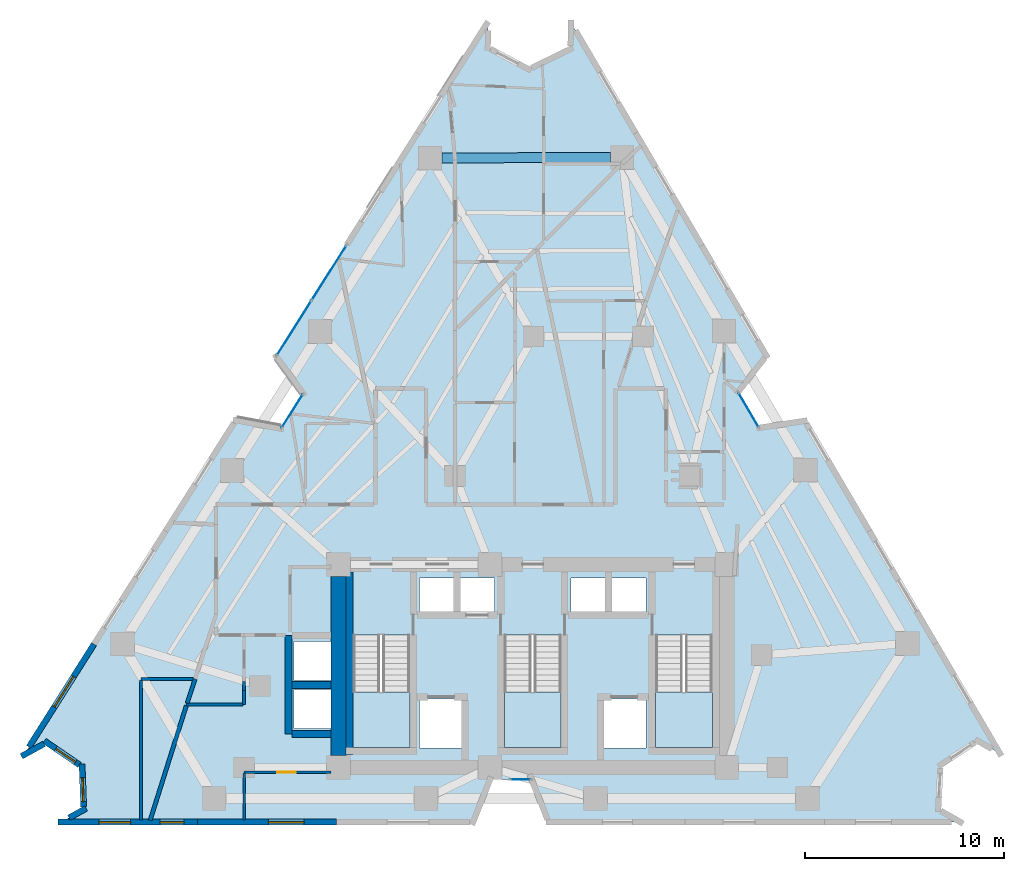
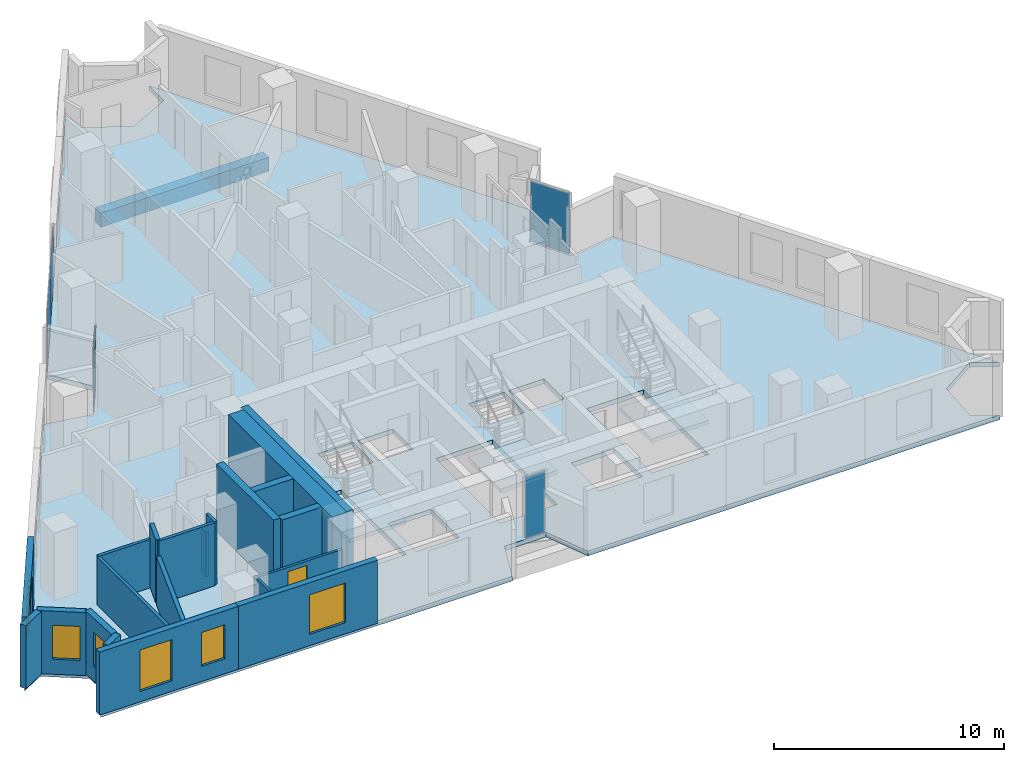
# One storey, part 5 of 12: 21 walls, 6 windows, 5 plates, 4 slabs, 1 beam, 1 door, 7 openings, 7 elements without a shape of their own.
"""IFC4 building model written with IfcOpenShell, lengths in metres."""

from ifc_helpers import new_model, si_unit, direction, frame, frame_2d, origin, origin_2d, place, context, subcontext, project, spatial, polyline, rectangle, outline, extrude, material, layer, layer_set, material_profile, profile_set, type_object, element, fill, aggregate, save


model = new_model("IFC4")

# Units and contexts
model_context = context("Model", 3, precision=1e-05, world=origin(), true_north=direction((0.0, 1.0)))
body_context = subcontext(model_context, "Body", "Model", "MODEL_VIEW")
ifc_project = project(units=[si_unit("LENGTHUNIT", "METRE"), si_unit("AREAUNIT", "SQUARE_METRE"), si_unit("VOLUMEUNIT", "CUBIC_METRE"), si_unit("PLANEANGLEUNIT", "RADIAN"), si_unit("MASSUNIT", "GRAM", prefix="KILO")], contexts=[model_context])

# Site, building, storey
site_placement = place(None, origin())
site = spatial("IfcSite", under=ifc_project, at=site_placement, CompositionType="ELEMENT")
building_placement = place(site_placement, origin())
building = spatial("IfcBuilding", under=site, at=building_placement, Name="Almagre Mirador Tower", CompositionType="ELEMENT")
storey_placement = place(building_placement, frame((0.0, 0.0, 117.60009765625)))
storey = spatial("IfcBuildingStorey", under=building, at=storey_placement, Name="L29", CompositionType="ELEMENT", Elevation=117.60009765625)

# Beam
ifc_material_1 = material(Name="Precast concrete C50/60", Category="concrete")
ifc_material_profile = material_profile(ifc_material_1, rectangle(XDim=0.5, YDim=0.75, at=origin_2d()), Name="RC500X750")
ifc_profile_set = profile_set([ifc_material_profile], Name="Precast concrete C50/60")
beam_type = type_object("IfcBeamType", Name="BM-SPN-RC500X750", PredefinedType="SPANDREL", material=ifc_profile_set)
beam_placement = place(storey_placement, frame((41.197021484375, 35.197998046875, -0.625), z_axis=(-0.999993795162, -0.003522731665, 0.0), x_axis=(0.003522731665, -0.999993795162, 0.0)))
element("IfcBeam", 1, at=beam_placement, inside=storey, type_object=beam_type, Name="L29 perimeter spandrel beam PC08-PC09", PredefinedType="SPANDREL", context=body_context, shape_type="SweptSolid", body=[
    extrude(rectangle(XDim=0.5, YDim=0.75, at=origin_2d()), origin(), (0.0, 0.0, 1.0), 8.455078125),
])

# Curtain wall, plate
ifc_material_2 = material(Name="Black anodized aluminium", Category="aluminium")
ifc_layer_1 = layer(ifc_material_2, 0.169921875)
ifc_layer_set_1 = layer_set([ifc_layer_1], Name="Black anodized aluminium")
curtain_wall_type_1 = type_object("IfcCurtainWallType", Name="CW-CRS-SYS", PredefinedType="NOTDEFINED", material=ifc_layer_set_1)
curtain_wall_1_placement = place(storey_placement, origin())
curtain_wall_1 = element("IfcCurtainWall", 2, at=curtain_wall_1_placement, inside=storey, type_object=curtain_wall_type_1, Name="L29 vertical crease curtain wall 01", PredefinedType="NOTDEFINED")
ifc_material_3 = material(Name="Dark solar-control laminated hurricane glass", Category="glass")
ifc_layer_2 = layer(ifc_material_3, 0.028076171875)
ifc_layer_set_2 = layer_set([ifc_layer_2], Name="Dark solar-control laminated hurricane glass")
plate_type_1 = type_object("IfcPlateType", Name="PLT-GLZ-28", PredefinedType="CURTAIN_PANEL", material=ifc_layer_set_2)
plate_1_placement = place(storey_placement, frame((25.217041015625, 22.449951171875, 0.059814453125), z_axis=(0.0, 0.0, 1.0), x_axis=(0.534892719084, 0.844919983827, 0.0)))
plate_1 = element("IfcPlate", 3, at=plate_1_placement, type_object=plate_type_1, Name="CW-4 panel 1.1", PredefinedType="CURTAIN_PANEL", context=body_context, shape_type="SweptSolid", body=[
    extrude(rectangle(XDim=1.97021484375, YDim=0.028076171875, at=origin_2d()), origin(), (0.0, 0.0, 1.0), 3.22998046875),
])
aggregate(curtain_wall_1, [plate_1])

curtain_wall_2_placement = place(storey_placement, origin())
curtain_wall_2 = element("IfcCurtainWall", 4, at=curtain_wall_2_placement, inside=storey, type_object=curtain_wall_type_1, Name="L29 vertical crease curtain wall 03", PredefinedType="NOTDEFINED")
plate_2_placement = place(storey_placement, frame((48.14599609375, 22.511474609375, 0.059814453125), z_axis=(0.0, 0.0, 1.0), x_axis=(0.506100018207, -0.862474794745, 0.0)))
plate_2 = element("IfcPlate", 5, at=plate_2_placement, type_object=plate_type_1, Name="CW-4 panel 1.1", PredefinedType="CURTAIN_PANEL", context=body_context, shape_type="SweptSolid", body=[
    extrude(rectangle(XDim=1.970458984375, YDim=0.028076171875, at=origin_2d()), origin(), (0.0, 0.0, 1.0), 3.22998046875),
])
aggregate(curtain_wall_2, [plate_2])

curtain_wall_3_placement = place(storey_placement, origin())
curtain_wall_3 = element("IfcCurtainWall", 6, at=curtain_wall_3_placement, inside=storey, type_object=curtain_wall_type_1, Name="L29 vertical crease curtain wall 04", PredefinedType="NOTDEFINED")
plate_3_placement = place(storey_placement, frame((36.677490234375, 3.949951171875, 0.059814453125), z_axis=(0.0, 0.0, 1.0), x_axis=(-1.0, 0.0, 0.0)))
plate_3 = element("IfcPlate", 7, at=plate_3_placement, type_object=plate_type_1, Name="CW-4 panel 1.1", PredefinedType="CURTAIN_PANEL", context=body_context, shape_type="SweptSolid", body=[
    extrude(rectangle(XDim=1.014892578125, YDim=0.028076171875, at=origin_2d()), origin(), (0.0, 0.0, 1.0), 3.22998046875),
])
aggregate(curtain_wall_3, [plate_3])

# Curtain wall, plates
ifc_material_4 = material(Name="Black anodized aluminium", Category="aluminium")
ifc_layer_3 = layer(ifc_material_4, 0.199951171875)
ifc_layer_set_3 = layer_set([ifc_layer_3], Name="Black anodized aluminium")
curtain_wall_type_2 = type_object("IfcCurtainWallType", Name="CW-RES-H-SYS", PredefinedType="NOTDEFINED", material=ifc_layer_set_3)
curtain_wall_4_placement = place(storey_placement, origin())
curtain_wall_4 = element("IfcCurtainWall", 8, at=curtain_wall_4_placement, inside=storey, type_object=curtain_wall_type_2, Name="L29 curtain wall run 02", PredefinedType="NOTDEFINED")
ifc_material_5 = material(Name="Dark solar-control laminated hurricane glass", Category="glass")
ifc_layer_4 = layer(ifc_material_5, 0.035888671875)
ifc_layer_set_4 = layer_set([ifc_layer_4], Name="Dark solar-control laminated hurricane glass")
plate_type_2 = type_object("IfcPlateType", Name="PLT-GLZ-36", PredefinedType="CURTAIN_PANEL", material=ifc_layer_set_4)
plate_4_placement = place(storey_placement, frame((25.311767578125, 26.619873046875, 0.06494140625), z_axis=(0.0, 0.0, 1.0), x_axis=(0.534887100678, 0.844923540641, 0.0)))
plate_4 = element("IfcPlate", 9, at=plate_4_placement, type_object=plate_type_2, Name="CW-3 panel 1.1", PredefinedType="CURTAIN_PANEL", context=body_context, shape_type="SweptSolid", body=[
    extrude(rectangle(XDim=3.219482421875, YDim=0.035888671875, at=origin_2d()), origin(), (0.0, 0.0, 1.0), 3.219970703125),
])
plate_5_placement = place(storey_placement, frame((27.068603515625, 29.39501953125, 0.06494140625), z_axis=(0.0, 0.0, 1.0), x_axis=(0.534887100678, 0.844923540641, 0.0)))
plate_5 = element("IfcPlate", 10, at=plate_5_placement, type_object=plate_type_2, Name="CW-3 panel 2.1", PredefinedType="CURTAIN_PANEL", context=body_context, shape_type="SweptSolid", body=[
    extrude(rectangle(XDim=3.219482421875, YDim=0.035888671875, at=origin_2d()), origin(), (0.0, 0.0, 1.0), 3.219970703125),
])
aggregate(curtain_wall_4, [plate_4, plate_5])

# Slab
ifc_material_6 = material(Name="Concrete C45/55", Category="concrete")
ifc_layer_5 = layer(ifc_material_6, 0.25)
ifc_layer_set_5 = layer_set([ifc_layer_5], Name="Concrete C45/55")
slab_type_1 = type_object("IfcSlabType", Name="SLB-FLR-250", PredefinedType="FLOOR", material=ifc_layer_set_5)
slab_1_placement = place(storey_placement, frame((0.0, 0.0, -0.25)))
element("IfcSlab", 11, at=slab_1_placement, inside=storey, type_object=slab_type_1, Name="L29 structural floor slab", PredefinedType="FLOOR", context=body_context, shape_type="SweptSolid", body=[
    extrude(outline(polyline([(11.739013671875, 5.179931640625), (12.883056640625, 5.80908203125), (14.6630859375, 4.5869140625), (14.742919921875, 2.428955078125), (13.60009765625, 1.800048828125), (34.300048828125, 1.800048828125), (35.155029296875, 3.949951171875), (37.2451171875, 3.949951171875), (38.10009765625, 1.800048828125), (58.800048828125, 1.800048828125), (57.6669921875, 2.447998046875), (57.783935546875, 4.672119140625), (59.64208984375, 5.89794921875), (60.77490234375, 5.2490234375), (50.9619140625, 21.9619140625), (48.675048828125, 21.610107421875), (47.616943359375, 23.4130859375), (49.0380859375, 25.238037109375), (39.22509765625, 41.950927734375), (39.2041015625, 40.64599609375), (37.10302734375, 39.62109375), (35.0390625, 40.715087890625), (35.06103515625, 42.02001953125), (24.416015625, 25.205078125), (25.77587890625, 23.3330078125), (24.657958984375, 21.56689453125), (22.384033203125, 21.9951171875), (11.739013671875, 5.179931640625)]), holes=[polyline([(43.47509765625, 5.550048828125), (43.47509765625, 11.196044921875), (46.324951171875, 11.196044921875), (46.324951171875, 5.550048828125), (43.47509765625, 5.550048828125)]), polyline([(40.820068359375, 5.52001953125), (40.820068359375, 7.97998046875), (42.97998046875, 7.97998046875), (42.97998046875, 5.52001953125), (40.820068359375, 5.52001953125)]), polyline([(41.219970703125, 12.320068359375), (41.219970703125, 14.080078125), (42.97998046875, 14.080078125), (42.97998046875, 12.320068359375), (41.219970703125, 12.320068359375)]), polyline([(39.219970703125, 12.320068359375), (39.219970703125, 14.080078125), (40.97998046875, 14.080078125), (40.97998046875, 12.320068359375), (39.219970703125, 12.320068359375)]), polyline([(35.875, 11.196044921875), (38.72509765625, 11.196044921875), (38.72509765625, 5.550048828125), (35.875, 5.550048828125), (35.875, 11.196044921875)]), polyline([(35.3798828125, 12.320068359375), (33.6201171875, 12.320068359375), (33.6201171875, 14.080078125), (35.3798828125, 14.080078125), (35.3798828125, 12.320068359375)]), polyline([(33.780029296875, 5.52001953125), (31.6201171875, 5.52001953125), (31.6201171875, 7.97998046875), (33.780029296875, 7.97998046875), (33.780029296875, 5.52001953125)]), polyline([(31.6201171875, 12.320068359375), (31.6201171875, 14.080078125), (33.3798828125, 14.080078125), (33.3798828125, 12.320068359375), (31.6201171875, 12.320068359375)]), polyline([(28.27490234375, 5.550048828125), (28.27490234375, 11.196044921875), (31.125, 11.196044921875), (31.125, 5.550048828125), (28.27490234375, 5.550048828125)]), polyline([(25.320068359375, 8.919921875), (25.320068359375, 10.8798828125), (27.3798828125, 10.8798828125), (27.3798828125, 8.919921875), (25.320068359375, 8.919921875)]), polyline([(27.3798828125, 6.52001953125), (25.320068359375, 6.52001953125), (25.320068359375, 8.47998046875), (27.3798828125, 8.47998046875), (27.3798828125, 6.52001953125)])]), origin(), (0.0, 0.0, 1.0), 0.25),
])

# Stair, slab
ifc_material_7 = material(Name="Concrete C45/55", Category="concrete")
stair_type = type_object("IfcStairType", Name="STR-DL-3600", PredefinedType="HALF_TURN_STAIR", material=ifc_material_7)
stair_1_placement = place(storey_placement, origin())
stair_1 = element("IfcStair", 12, at=stair_1_placement, inside=storey, type_object=stair_type, Name="L29 Protected exit stair ST-1", PredefinedType="HALF_TURN_STAIR")
ifc_material_8 = material(Name="Concrete C45/55", Category="concrete")
ifc_layer_6 = layer(ifc_material_8, 0.199951171875)
ifc_layer_set_6 = layer_set([ifc_layer_6], Name="Concrete C45/55")
slab_type_2 = type_object("IfcSlabType", Name="SLB-LND-200", PredefinedType="LANDING", material=ifc_layer_set_6)
slab_2_placement = place(storey_placement, frame((0.0, 0.0, 1.599853515625)))
slab_2 = element("IfcSlab", 13, at=slab_2_placement, type_object=slab_type_2, Name="ST-1 landing 1", PredefinedType="LANDING", context=body_context, shape_type="SweptSolid", body=[
    extrude(outline(polyline([(28.27490234375, 8.35009765625), (28.27490234375, 5.550048828125), (31.125, 5.550048828125), (31.125, 8.35009765625), (28.27490234375, 8.35009765625)])), origin(), (0.0, 0.0, 1.0), 0.199951171875),
])
aggregate(stair_1, [slab_2])

stair_2_placement = place(storey_placement, origin())
stair_2 = element("IfcStair", 14, at=stair_2_placement, inside=storey, type_object=stair_type, Name="L29 Protected exit stair ST-2", PredefinedType="HALF_TURN_STAIR")
slab_3_placement = place(storey_placement, frame((0.0, 0.0, 1.599853515625)))
slab_3 = element("IfcSlab", 15, at=slab_3_placement, type_object=slab_type_2, Name="ST-2 landing 1", PredefinedType="LANDING", context=body_context, shape_type="SweptSolid", body=[
    extrude(outline(polyline([(35.875, 8.35009765625), (35.875, 5.550048828125), (38.72509765625, 5.550048828125), (38.72509765625, 8.35009765625), (35.875, 8.35009765625)])), origin(), (0.0, 0.0, 1.0), 0.199951171875),
])
aggregate(stair_2, [slab_3])

stair_3_placement = place(storey_placement, origin())
stair_3 = element("IfcStair", 16, at=stair_3_placement, inside=storey, type_object=stair_type, Name="L29 Protected exit stair ST-3", PredefinedType="HALF_TURN_STAIR")
slab_4_placement = place(storey_placement, frame((0.0, 0.0, 1.599853515625)))
slab_4 = element("IfcSlab", 17, at=slab_4_placement, type_object=slab_type_2, Name="ST-3 landing 1", PredefinedType="LANDING", context=body_context, shape_type="SweptSolid", body=[
    extrude(outline(polyline([(43.47509765625, 8.35009765625), (43.47509765625, 5.550048828125), (46.324951171875, 5.550048828125), (46.324951171875, 8.35009765625), (43.47509765625, 8.35009765625)])), origin(), (0.0, 0.0, 1.0), 0.199951171875),
])
aggregate(stair_3, [slab_4])

# Wall, opening, window
ifc_material_9 = material(Name="Precast concrete C50/60", Category="concrete")
ifc_layer_7 = layer(ifc_material_9, 0.300048828125)
ifc_layer_set_7 = layer_set([ifc_layer_7], Name="Precast concrete C50/60")
wall_type_1 = type_object("IfcWallType", Name="WAL-EXT-300", PredefinedType="SOLIDWALL", material=ifc_layer_set_7)
wall_1_placement = place(storey_placement, frame((27.44677734375, 1.800048828125, 0.0), z_axis=(0.0, 0.0, 1.0), x_axis=(-1.0, 0.0, 0.0)))
wall_1 = element("IfcWall", 18, at=wall_1_placement, inside=storey, type_object=wall_type_1, Name="L29 expressed almagre precast frame wall 27", PredefinedType="SOLIDWALL", context=body_context, shape_type="SweptSolid", body=[
    extrude(rectangle(XDim=6.993408203125, YDim=0.300048828125, at=frame_2d((3.49658203125, 0.0))), origin(), (0.0, 0.0, 1.0), 3.349853515625),
])
opening_1_placement = place(wall_1_placement, frame((1.625, 0.0, 0.60009765625)))
opening_1 = element("IfcOpeningElement", 19, at=opening_1_placement, cuts=wall_1, Name="Opening WN-01", PredefinedType="OPENING", context=body_context, shape_type="SweptSolid", body=[
    extrude(rectangle(XDim=1.800048828125, YDim=2.10009765625, at=frame_2d((0.89990234375, 1.050048828125))), frame((0.0, 0.159902, 0.0), z_axis=(0.0, -1.0, 0.0), x_axis=(1.0, 0.0, 0.0)), (0.0, 0.0, 1.0), 0.320049),
])
ifc_material_10 = material(Name="Dark solar-control laminated hurricane glass", Category="glass")
window_type_1 = type_object("IfcWindowType", Name="WIN-1800X2100", PartitioningType="DOUBLE_PANEL_VERTICAL", PredefinedType="WINDOW", material=ifc_material_10)
window_1_placement = place(opening_1_placement, origin())
window_1 = element("IfcWindow", 20, at=window_1_placement, inside=storey, type_object=window_type_1, Name="L29 recessed hurricane window L29-UA-KT", OverallHeight=2.10009765625, OverallWidth=1.800048828125, PartitioningType="SINGLE_PANEL", PredefinedType="WINDOW", context=body_context, shape_type="SweptSolid", body=[
    extrude(rectangle(XDim=1.800048828125, YDim=2.10009765625, at=frame_2d((0.89990234375, 1.050048828125))), frame((0.0, 0.030029296875, 0.0), z_axis=(0.0, -1.0, 0.0), x_axis=(1.0, 0.0, 0.0)), (0.0, 0.0, 1.0), 0.06005859375),
])
fill(opening_1, window_1)

# Wall, openings, windows
wall_2_placement = place(storey_placement, frame((20.453369140625, 1.800048828125, 0.0), z_axis=(0.0, 0.0, 1.0), x_axis=(-1.0, 0.0, 0.0)))
wall_2 = element("IfcWall", 21, at=wall_2_placement, inside=storey, type_object=wall_type_1, Name="L29 expressed almagre precast frame wall 28", PredefinedType="SOLIDWALL", context=body_context, shape_type="SweptSolid", body=[
    extrude(rectangle(XDim=6.993408203125, YDim=0.300048828125, at=frame_2d((3.49658203125, 0.0))), origin(), (0.0, 0.0, 1.0), 3.349853515625),
])
opening_2_placement = place(wall_2_placement, frame((0.675048828125, 0.0, 0.800048828125)))
opening_2 = element("IfcOpeningElement", 22, at=opening_2_placement, cuts=wall_2, Name="Opening WN-04", PredefinedType="OPENING", context=body_context, shape_type="SweptSolid", body=[
    extrude(rectangle(XDim=1.199951171875, YDim=1.800048828125, at=frame_2d((0.60009765625, 0.89990234375))), frame((0.0, 0.159902, 0.0), z_axis=(0.0, -1.0, 0.0), x_axis=(1.0, 0.0, 0.0)), (0.0, 0.0, 1.0), 0.320049),
])
opening_3_placement = place(wall_2_placement, frame((3.35009765625, 0.0, 0.550048828125)))
opening_3 = element("IfcOpeningElement", 23, at=opening_3_placement, cuts=wall_2, Name="Opening WN-06", PredefinedType="OPENING", context=body_context, shape_type="SweptSolid", body=[
    extrude(rectangle(XDim=1.60009765625, YDim=2.199951171875, at=frame_2d((0.800048828125, 1.10009765625))), frame((0.0, 0.159902, 0.0), z_axis=(0.0, -1.0, 0.0), x_axis=(1.0, 0.0, 0.0)), (0.0, 0.0, 1.0), 0.320049),
])
ifc_material_11 = material(Name="Dark solar-control laminated hurricane glass", Category="glass")
window_type_2 = type_object("IfcWindowType", Name="WIN-1200X1800", PartitioningType="SINGLE_PANEL", PredefinedType="WINDOW", material=ifc_material_11)
window_2_placement = place(opening_2_placement, origin())
window_2 = element("IfcWindow", 24, at=window_2_placement, inside=storey, type_object=window_type_2, Name="L29 recessed hurricane window L29-UA-MB", OverallHeight=1.800048828125, OverallWidth=1.199951171875, PartitioningType="SINGLE_PANEL", PredefinedType="WINDOW", context=body_context, shape_type="SweptSolid", body=[
    extrude(rectangle(XDim=1.199951171875, YDim=1.800048828125, at=frame_2d((0.60009765625, 0.89990234375))), frame((0.0, 0.030029296875, 0.0), z_axis=(0.0, -1.0, 0.0), x_axis=(1.0, 0.0, 0.0)), (0.0, 0.0, 1.0), 0.06005859375),
])
fill(opening_2, window_2)
ifc_material_12 = material(Name="Dark solar-control laminated hurricane glass", Category="glass")
window_type_3 = type_object("IfcWindowType", Name="WIN-1600X2200", PartitioningType="DOUBLE_PANEL_VERTICAL", PredefinedType="WINDOW", material=ifc_material_12)
window_3_placement = place(opening_3_placement, origin())
window_3 = element("IfcWindow", 25, at=window_3_placement, inside=storey, type_object=window_type_3, Name="L29 recessed hurricane window L29-UD-KT", OverallHeight=2.199951171875, OverallWidth=1.60009765625, PartitioningType="SINGLE_PANEL", PredefinedType="WINDOW", context=body_context, shape_type="SweptSolid", body=[
    extrude(rectangle(XDim=1.60009765625, YDim=2.199951171875, at=frame_2d((0.800048828125, 1.10009765625))), frame((0.0, 0.030029296875, 0.0), z_axis=(0.0, -1.0, 0.0), x_axis=(1.0, 0.0, 0.0)), (0.0, 0.0, 1.0), 0.06005859375),
])
fill(opening_3, window_3)

# Wall
wall_3_placement = place(storey_placement, frame((14.00732421875, 2.024169921875, 0.0), z_axis=(0.0, 0.0, 1.0), x_axis=(0.876089618579, 0.482148296914, 0.0)))
element("IfcWall", 26, at=wall_3_placement, inside=storey, type_object=wall_type_1, Name="L29 expressed almagre precast frame wall 29", PredefinedType="SOLIDWALL", context=body_context, shape_type="SweptSolid", body=[
    extrude(rectangle(XDim=0.979736328125, YDim=0.300048828125, at=frame_2d((0.48974609375, 0.0))), origin(), (0.0, 0.0, 1.0), 3.349853515625),
])

# Wall, opening, window
wall_4_placement = place(storey_placement, frame((14.737548828125, 2.578857421875, 0.0), z_axis=(0.0, 0.0, 1.0), x_axis=(-0.037141892545, 0.99931000186, 0.0)))
wall_4 = element("IfcWall", 27, at=wall_4_placement, inside=storey, type_object=wall_type_1, Name="L29 expressed almagre precast frame wall 30", PredefinedType="SOLIDWALL", context=body_context, shape_type="SweptSolid", body=[
    extrude(rectangle(XDim=2.1494140625, YDim=0.300048828125, at=frame_2d((1.07470703125, 0.0))), origin(), (0.0, 0.0, 1.0), 3.349853515625),
])
opening_4_placement = place(wall_4_placement, frame((0.260009765625, 0.0, 0.800048828125)))
opening_4 = element("IfcOpeningElement", 28, at=opening_4_placement, cuts=wall_4, Name="Opening WN-04", PredefinedType="OPENING", context=body_context, shape_type="SweptSolid", body=[
    extrude(rectangle(XDim=1.199951171875, YDim=1.800048828125, at=frame_2d((0.60009765625, 0.89990234375))), frame((0.0, 0.159902, 0.0), z_axis=(0.0, -1.0, 0.0), x_axis=(1.0, 0.0, 0.0)), (0.0, 0.0, 1.0), 0.320049),
])
window_4_placement = place(opening_4_placement, origin())
window_4 = element("IfcWindow", 29, at=window_4_placement, inside=storey, type_object=window_type_2, Name="L29 recessed hurricane window L29-UD-KT", OverallHeight=1.800048828125, OverallWidth=1.199951171875, PartitioningType="SINGLE_PANEL", PredefinedType="WINDOW", context=body_context, shape_type="SweptSolid", body=[
    extrude(rectangle(XDim=1.199951171875, YDim=1.800048828125, at=frame_2d((0.60009765625, 0.89990234375))), frame((0.0, 0.030029296875, 0.0), z_axis=(0.0, -1.0, 0.0), x_axis=(1.0, 0.0, 0.0)), (0.0, 0.0, 1.0), 0.06005859375),
])
fill(opening_4, window_4)

wall_5_placement = place(storey_placement, frame((14.539306640625, 4.671875, 0.0), z_axis=(0.0, 0.0, 1.0), x_axis=(-0.824422928204, 0.565974235678, 0.0)))
wall_5 = element("IfcWall", 30, at=wall_5_placement, inside=storey, type_object=wall_type_1, Name="L29 expressed almagre precast frame wall 31", PredefinedType="SOLIDWALL", context=body_context, shape_type="SweptSolid", body=[
    extrude(rectangle(XDim=2.149169921875, YDim=0.300048828125, at=frame_2d((1.07470703125, 0.0))), origin(), (0.0, 0.0, 1.0), 3.349853515625),
])
opening_5_placement = place(wall_5_placement, frame((0.260009765625, 0.0, 0.800048828125)))
opening_5 = element("IfcOpeningElement", 31, at=opening_5_placement, cuts=wall_5, Name="Opening WN-04", PredefinedType="OPENING", context=body_context, shape_type="SweptSolid", body=[
    extrude(rectangle(XDim=1.199951171875, YDim=1.800048828125, at=frame_2d((0.60009765625, 0.89990234375))), frame((0.0, 0.159902, 0.0), z_axis=(0.0, -1.0, 0.0), x_axis=(1.0, 0.0, 0.0)), (0.0, 0.0, 1.0), 0.320049),
])
window_5_placement = place(opening_5_placement, origin())
window_5 = element("IfcWindow", 32, at=window_5_placement, inside=storey, type_object=window_type_2, Name="L29 recessed hurricane window L29-UD-KT", OverallHeight=1.800048828125, OverallWidth=1.199951171875, PartitioningType="SINGLE_PANEL", PredefinedType="WINDOW", context=body_context, shape_type="SweptSolid", body=[
    extrude(rectangle(XDim=1.199951171875, YDim=1.800048828125, at=frame_2d((0.60009765625, 0.89990234375))), frame((0.0, 0.030029296875, 0.0), z_axis=(0.0, -1.0, 0.0), x_axis=(1.0, 0.0, 0.0)), (0.0, 0.0, 1.0), 0.06005859375),
])
fill(opening_5, window_5)

# Wall
wall_6_placement = place(storey_placement, frame((12.751708984375, 5.73681640625, 0.0), z_axis=(0.0, 0.0, 1.0), x_axis=(-0.876299432815, -0.481766856527, 0.0)))
element("IfcWall", 33, at=wall_6_placement, inside=storey, type_object=wall_type_1, Name="L29 expressed almagre precast frame wall 32", PredefinedType="SOLIDWALL", context=body_context, shape_type="SweptSolid", body=[
    extrude(rectangle(XDim=1.2958984375, YDim=0.300048828125, at=frame_2d((0.64794921875, 0.0))), origin(), (0.0, 0.0, 1.0), 3.349853515625),
])

# Wall, opening, window
wall_7_placement = place(storey_placement, frame((11.9931640625, 5.581298828125, 0.0), z_axis=(0.0, 0.0, 1.0), x_axis=(0.534883870605, 0.844925585461, 0.0)))
wall_7 = element("IfcWall", 34, at=wall_7_placement, inside=storey, type_object=wall_type_1, Name="L29 expressed almagre precast frame wall 33", PredefinedType="SOLIDWALL", context=body_context, shape_type="SweptSolid", body=[
    extrude(rectangle(XDim=6.112060546875, YDim=0.300048828125, at=frame_2d((3.05615234375, 0.0))), origin(), (0.0, 0.0, 1.0), 3.349853515625),
])
opening_6_placement = place(wall_7_placement, frame((2.385009765625, 0.0, 0.60009765625)))
opening_6 = element("IfcOpeningElement", 35, at=opening_6_placement, cuts=wall_7, Name="Opening WN-01", PredefinedType="OPENING", context=body_context, shape_type="SweptSolid", body=[
    extrude(rectangle(XDim=1.800048828125, YDim=2.10009765625, at=frame_2d((0.89990234375, 1.050048828125))), frame((0.0, 0.159902, 0.0), z_axis=(0.0, -1.0, 0.0), x_axis=(1.0, 0.0, 0.0)), (0.0, 0.0, 1.0), 0.320049),
])
window_6_placement = place(opening_6_placement, origin())
window_6 = element("IfcWindow", 36, at=window_6_placement, inside=storey, type_object=window_type_1, Name="L29 recessed hurricane window L29-UD-KT", OverallHeight=2.10009765625, OverallWidth=1.800048828125, PartitioningType="SINGLE_PANEL", PredefinedType="WINDOW", context=body_context, shape_type="SweptSolid", body=[
    extrude(rectangle(XDim=1.800048828125, YDim=2.10009765625, at=frame_2d((0.89990234375, 1.050048828125))), frame((0.0, 0.030029296875, 0.0), z_axis=(0.0, -1.0, 0.0), x_axis=(1.0, 0.0, 0.0)), (0.0, 0.0, 1.0), 0.06005859375),
])
fill(opening_6, window_6)

# Wall, opening, door
ifc_material_13 = material(Name="Gypsum acoustic stud partition", Category="other")
ifc_layer_8 = layer(ifc_material_13, 0.125)
ifc_layer_set_8 = layer_set([ifc_layer_8], Name="Gypsum acoustic stud partition")
wall_type_2 = type_object("IfcWallType", Name="WAL-PRT-125-UTL", PredefinedType="PARTITIONING", material=ifc_layer_set_8)
wall_8_placement = place(storey_placement, frame((22.800048828125, 4.320068359375, 0.0), z_axis=(0.0, 0.0, 1.0), x_axis=(1.0, 0.0, 0.0)))
wall_8 = element("IfcWall", 37, at=wall_8_placement, inside=storey, type_object=wall_type_2, Name="L29 interior partition 027", PredefinedType="PARTITIONING", context=body_context, shape_type="SweptSolid", body=[
    extrude(rectangle(XDim=4.375, YDim=0.125, at=frame_2d((2.1875, 0.0))), origin(), (0.0, 0.0, 1.0), 2.435791015625),
])
opening_7_placement = place(wall_8_placement, frame((1.654296875, 0.0, 0.0)))
opening_7 = element("IfcOpeningElement", 38, at=opening_7_placement, cuts=wall_8, Name="Opening UD-01", PredefinedType="OPENING", context=body_context, shape_type="SweptSolid", body=[
    extrude(rectangle(XDim=0.949951171875, YDim=2.199951171875, at=frame_2d((0.47509765625, 1.10009765625))), frame((0.0, 0.0725, 0.0), z_axis=(0.0, -1.0, 0.0), x_axis=(1.0, 0.0, 0.0)), (0.0, 0.0, 1.0), 0.145),
])
ifc_material_14 = material(Name="Solid American walnut timber", Category="wood")
door_type = type_object("IfcDoorType", Name="DOR-UNR-950X2200", OperationType="NOTDEFINED", PredefinedType="DOOR", material=ifc_material_14)
door_placement = place(opening_7_placement, origin())
door = element("IfcDoor", 39, at=door_placement, inside=storey, type_object=door_type, Name="DR-0950 L29 interior door L29-UA-LV to L29-UA-KT", OperationType="SINGLE_SWING_LEFT", OverallHeight=2.199951171875, OverallWidth=0.949951171875, PredefinedType="DOOR", context=body_context, shape_type="SweptSolid", body=[
    extrude(rectangle(XDim=0.949951171875, YDim=2.199951171875, at=frame_2d((0.47509765625, 1.10009765625))), frame((0.0, 0.02490234375, 0.0), z_axis=(0.0, -1.0, 0.0), x_axis=(1.0, 0.0, 0.0)), (0.0, 0.0, 1.0), 0.050048828125),
])
fill(opening_7, door)

# Walls
wall_9_placement = place(storey_placement, frame((22.800048828125, 4.2724609375, 0.0), z_axis=(0.0, 0.0, 1.0), x_axis=(0.0, -1.0, 0.0)))
element("IfcWall", 40, at=wall_9_placement, inside=storey, type_object=wall_type_2, Name="L29 interior partition 032", PredefinedType="PARTITIONING", context=body_context, shape_type="SweptSolid", body=[
    extrude(rectangle(XDim=2.37255859375, YDim=0.125, at=frame_2d((1.186279296875, 0.0))), origin(), (0.0, 0.0, 1.0), 2.56982421875),
])
ifc_material_15 = material(Name="Gypsum acoustic stud partition", Category="other")
ifc_layer_9 = layer(ifc_material_15, 0.14990234375)
ifc_layer_set_9 = layer_set([ifc_layer_9], Name="Gypsum acoustic stud partition")
wall_type_3 = type_object("IfcWallType", Name="WAL-PRT-150-STD", PredefinedType="PARTITIONING", material=ifc_layer_set_9)
wall_10_placement = place(storey_placement, frame((22.800048828125, 8.429931640625, 0.0), z_axis=(0.0, 0.0, 1.0), x_axis=(0.0, -1.0, 0.0)))
element("IfcWall", 41, at=wall_10_placement, inside=storey, type_object=wall_type_3, Name="L29 interior partition 025", PredefinedType="PARTITIONING", context=body_context, shape_type="SweptSolid", body=[
    extrude(rectangle(XDim=0.7099609375, YDim=0.14990234375, at=frame_2d((0.35498046875, 0.0))), origin(), (0.0, 0.0, 1.0), 3.349853515625),
])
wall_11_placement = place(storey_placement, frame((19.919921875, 7.719970703125, 0.0), z_axis=(0.0, 0.0, 1.0), x_axis=(1.0, 0.0, 0.0)))
element("IfcWall", 42, at=wall_11_placement, inside=storey, type_object=wall_type_3, Name="L29 interior partition 029", PredefinedType="PARTITIONING", context=body_context, shape_type="SweptSolid", body=[
    extrude(rectangle(XDim=2.820068359375, YDim=0.14990234375, at=frame_2d((1.41015625, 0.0))), origin(), (0.0, 0.0, 1.0), 3.349853515625),
])
wall_12_placement = place(storey_placement, frame((17.6298828125, 9.0, 0.0), z_axis=(0.0, 0.0, 1.0), x_axis=(1.0, 0.0, 0.0)))
element("IfcWall", 43, at=wall_12_placement, inside=storey, type_object=wall_type_3, Name="L29 interior partition 047", PredefinedType="PARTITIONING", context=body_context, shape_type="SweptSolid", body=[
    extrude(rectangle(XDim=2.625, YDim=0.14990234375, at=frame_2d((1.3125, 0.0))), origin(), (0.0, 0.0, 1.0), 2.56982421875),
])
wall_13_placement = place(storey_placement, frame((17.6298828125, 8.93994140625, 0.0), z_axis=(0.0, 0.0, 1.0), x_axis=(0.0, -1.0, 0.0)))
element("IfcWall", 44, at=wall_13_placement, inside=storey, type_object=wall_type_3, Name="L29 interior partition 051", PredefinedType="PARTITIONING", context=body_context, shape_type="SweptSolid", body=[
    extrude(rectangle(XDim=7.0400390625, YDim=0.14990234375, at=frame_2d((3.52001953125, 0.0))), origin(), (0.0, 0.0, 1.0), 2.56982421875),
])
wall_14_placement = place(storey_placement, frame((22.800048828125, 8.429931640625, 0.0), z_axis=(0.0, 0.0, 1.0), x_axis=(0.0, 1.0, 0.0)))
element("IfcWall", 45, at=wall_14_placement, inside=storey, type_object=wall_type_3, Name="L29 interior partition 098", PredefinedType="PARTITIONING", context=body_context, shape_type="SweptSolid", body=[
    extrude(rectangle(XDim=0.440185546875, YDim=0.14990234375, at=frame_2d((0.22021484375, 0.0))), origin(), (0.0, 0.0, 1.0), 2.371826171875),
])
ifc_material_16 = material(Name="Gypsum acoustic stud partition", Category="other")
ifc_layer_10 = layer(ifc_material_16, 0.199951171875)
ifc_layer_set_10 = layer_set([ifc_layer_10], Name="Gypsum acoustic stud partition")
wall_type_4 = type_object("IfcWallType", Name="WAL-PRT-200-EI60", PredefinedType="PARTITIONING", material=ifc_layer_set_10)
wall_15_placement = place(storey_placement, frame((20.340087890625, 9.0, 0.0), z_axis=(0.0, 0.0, 1.0), x_axis=(-0.311842662142, -0.950133755883, 0.0)))
element("IfcWall", 46, at=wall_15_placement, inside=storey, type_object=wall_type_4, Name="L29 interior partition 031", PredefinedType="PARTITIONING", context=body_context, shape_type="SweptSolid", body=[
    extrude(rectangle(XDim=1.287109375, YDim=0.199951171875, at=frame_2d((0.6435546875, 0.0))), origin(), (0.0, 0.0, 1.0), 3.349853515625),
])
wall_16_placement = place(storey_placement, frame((19.90185546875, 7.662841796875, 0.0), z_axis=(0.0, 0.0, 1.0), x_axis=(-0.300992296292, -0.953626571344, 0.0)))
element("IfcWall", 47, at=wall_16_placement, inside=storey, type_object=wall_type_4, Name="L29 interior partition 034", PredefinedType="PARTITIONING", context=body_context, shape_type="SweptSolid", body=[
    extrude(rectangle(XDim=6.04931640625, YDim=0.199951171875, at=frame_2d((3.024658203125, 0.0))), origin(), (0.0, 0.0, 1.0), 2.56982421875),
])
ifc_material_17 = material(Name="Concrete C60/75", Category="concrete")
ifc_layer_11 = layer(ifc_material_17, 0.35009765625)
ifc_layer_set_11 = layer_set([ifc_layer_11], Name="Concrete C60/75")
wall_type_5 = type_object("IfcWallType", Name="WAL-SHF-350", PredefinedType="SOLIDWALL", material=ifc_layer_set_11)
wall_17_placement = place(storey_placement, frame((28.10009765625, 5.199951171875, 0.0), z_axis=(0.0, 0.0, 1.0), x_axis=(0.0, 1.0, 0.0)))
element("IfcWall", 48, at=wall_17_placement, inside=storey, type_object=wall_type_5, Name="L29 shaft wall ST1-W", PredefinedType="SOLIDWALL", context=body_context, shape_type="SweptSolid", body=[
    extrude(rectangle(XDim=9.175048828125, YDim=0.35009765625, at=frame_2d((4.58740234375, 0.0))), origin(), (0.0, 0.0, 1.0), 3.599853515625),
])
wall_18_placement = place(storey_placement, frame((25.02490234375, 6.22509765625, 0.0), z_axis=(0.0, 0.0, 1.0), x_axis=(0.0, 1.0, 0.0)))
element("IfcWall", 49, at=wall_18_placement, inside=storey, type_object=wall_type_5, Name="L29 shaft wall OL-W", PredefinedType="SOLIDWALL", context=body_context, shape_type="SweptSolid", body=[
    extrude(rectangle(XDim=4.949951171875, YDim=0.35009765625, at=frame_2d((2.47509765625, 0.0))), origin(), (0.0, 0.0, 1.0), 3.599853515625),
])
for number, where, z_axis, x_axis, name in (
    (50, (25.199951171875, 6.22509765625, 0.0), (0.0, 0.0, 1.0), (1.0, 0.0, 0.0), "L29 shaft wall OL-S"),
    (51, (25.199951171875, 8.699951171875, 0.0), (0.0, 0.0, 1.0), (1.0, 0.0, 0.0), "L29 shaft wall OL-M"),
):
    element("IfcWall", number, at=place(storey_placement, frame(where, z_axis=z_axis, x_axis=x_axis)), inside=storey, type_object=wall_type_5, Name=name, PredefinedType="SOLIDWALL", context=body_context, shape_type="SweptSolid", body=[
        extrude(rectangle(XDim=1.97509765625, YDim=0.35009765625, at=frame_2d((0.987548828125, 0.0))), origin(), (0.0, 0.0, 1.0), 3.599853515625),
    ])
ifc_material_18 = material(Name="Concrete C60/75", Category="concrete")
ifc_layer_12 = layer(ifc_material_18, 0.75)
ifc_layer_set_12 = layer_set([ifc_layer_12], Name="Concrete C60/75")
wall_type_6 = type_object("IfcWallType", Name="WAL-SHR-750", PredefinedType="SHEAR", material=ifc_layer_set_12)
wall_19_placement = place(storey_placement, frame((27.550048828125, 5.14990234375, 0.0), z_axis=(0.0, 0.0, 1.0), x_axis=(0.0, 1.0, 0.0)))
element("IfcWall", 52, at=wall_19_placement, inside=storey, type_object=wall_type_6, Name="L29 core shear wall W1", PredefinedType="SHEAR", context=body_context, shape_type="SweptSolid", body=[
    extrude(rectangle(XDim=9.0, YDim=0.75, at=frame_2d((4.5, 0.0))), origin(), (0.0, 0.0, 1.0), 3.599853515625),
])

save(model, "model.ifc")
